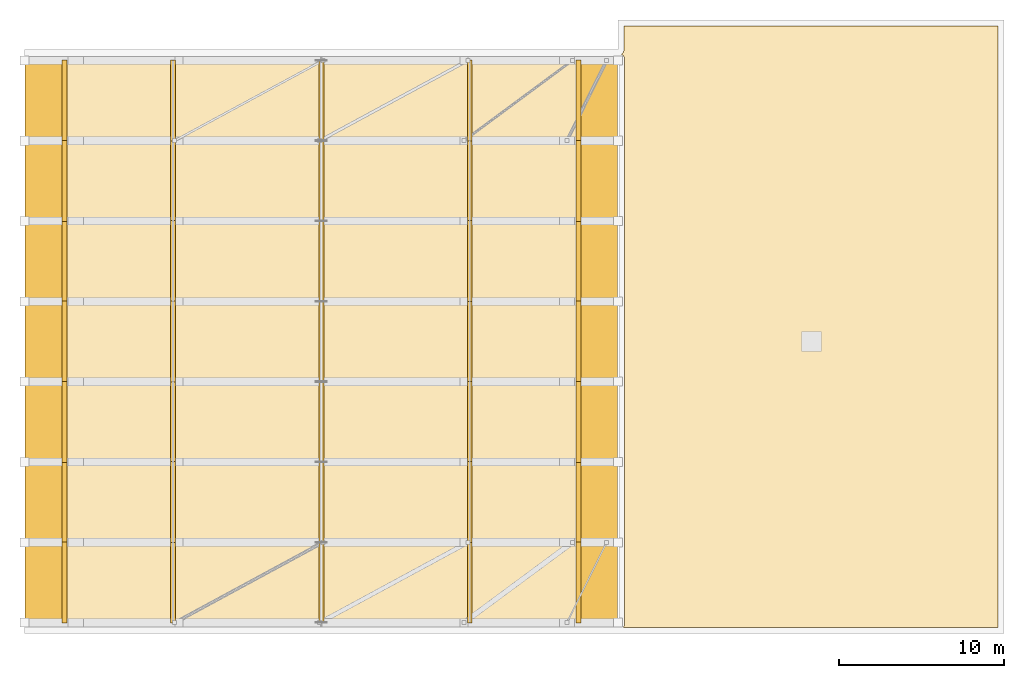
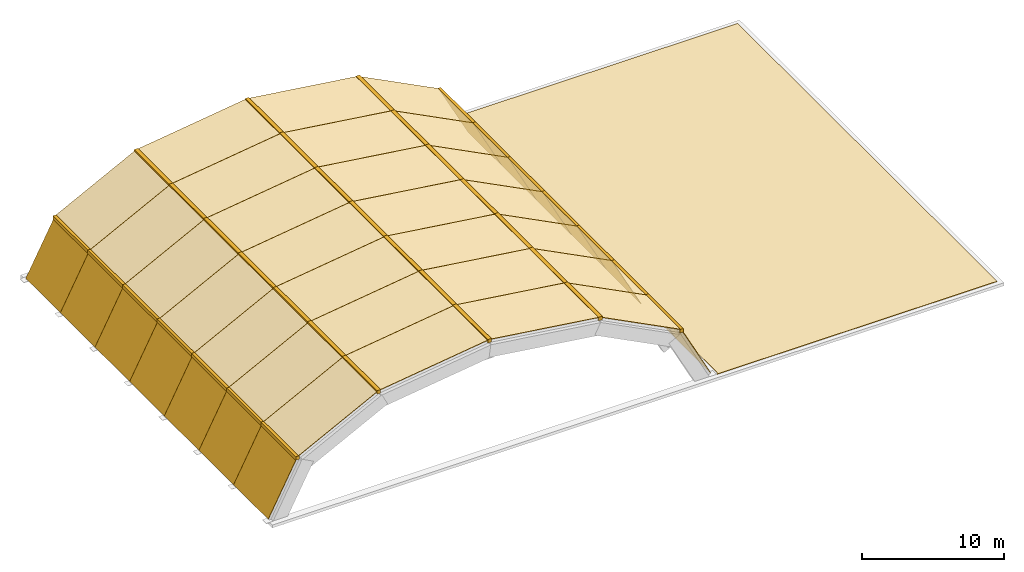
# One storey, part 4 of 4: 78 coverings.
"""IFC4 building model written with IfcOpenShell, lengths in metres."""

from ifc_helpers import new_model, si_unit, direction, frame, origin, origin_2d, place, context, subcontext, project, spatial, polyline, rectangle, outline, extrude, material, layer, layer_set, type_object, element, save


model = new_model("IFC4")

# Units and contexts
model_context = context("Model", 3, precision=1e-05, world=origin(), true_north=direction((0.0, 1.0)))
body_context = subcontext(model_context, "Body", "Model", "MODEL_VIEW")
ifc_project = project(units=[si_unit("LENGTHUNIT", "METRE"), si_unit("AREAUNIT", "SQUARE_METRE"), si_unit("VOLUMEUNIT", "CUBIC_METRE"), si_unit("PLANEANGLEUNIT", "RADIAN"), si_unit("MASSUNIT", "GRAM", prefix="KILO")], contexts=[model_context])

# Site, building, storey
site_placement = place(None, origin())
site = spatial("IfcSite", under=ifc_project, at=site_placement, CompositionType="ELEMENT")
building_placement = place(site_placement, origin())
building = spatial("IfcBuilding", under=site, at=building_placement, Name="Mithqara Police Headquarters", CompositionType="ELEMENT")
storey_placement = place(building_placement, frame((0.0, 0.0, 35.39990234375)))
storey = spatial("IfcBuildingStorey", under=building, at=storey_placement, Name="ROOF", CompositionType="ELEMENT", Elevation=35.39990234375)

# Coverings
ifc_material_1 = material(Name="Limestone ashlar masonry, 45 MPa", Category="masonry")
ifc_layer_1 = layer(ifc_material_1, 0.320068359375, Name="Limestone ashlar masonry, 45 MPa")
ifc_layer_set_1 = layer_set([ifc_layer_1], Name="Limestone ashlar masonry, 45 MPa")
covering_type_1 = type_object("IfcCoveringType", Name="CORNICE LIMESTONE", PredefinedType="CLADDING", material=ifc_layer_set_1)
for number, where, z_axis, x_axis, name in (
    (1, (111.011474609375, 81.685791015625, 4.3798828125), (0.0, 0.0, 1.0), (1.0, 0.0, 0.0), "Arch Flashing Seam Trim B1-K1"),
    (2, (117.60009765625, 81.685791015625, 7.74755859375), (0.0, 0.0, 1.0), (1.0, 0.0, 0.0), "Arch Flashing Seam Trim B1-K2"),
    (3, (126.60009765625, 81.685791015625, 8.97998046875), (0.0, 0.0, 1.0), (1.0, 0.0, 0.0), "Arch Flashing Seam Trim B1-K3"),
    (4, (135.60009765625, 81.685791015625, 7.74755859375), (0.0, 0.0, 1.0), (1.0, 0.0, 0.0), "Arch Flashing Seam Trim B1-K4"),
    (5, (142.1884765625, 81.685791015625, 4.3798828125), (0.0, 0.0, 1.0), (1.0, 0.0, 0.0), "Arch Flashing Seam Trim B1-K5"),
):
    element("IfcCovering", number, at=place(storey_placement, frame(where, z_axis=z_axis, x_axis=x_axis)), inside=storey, type_object=covering_type_1, Name=name, PredefinedType="CLADDING", context=body_context, shape_type="SweptSolid", body=[
        extrude(rectangle(XDim=0.300048828125, YDim=4.910888671875, at=origin_2d()), origin(), (0.0, 0.0, 1.0), 0.300048828125),
    ])
for number, where, z_axis, x_axis, name in (
    (6, (111.011474609375, 86.55712890625, 4.3798828125), (0.0, 0.0, 1.0), (1.0, 0.0, 0.0), "Arch Flashing Seam Trim B2-K1"),
    (7, (117.60009765625, 86.55712890625, 7.74755859375), (0.0, 0.0, 1.0), (1.0, 0.0, 0.0), "Arch Flashing Seam Trim B2-K2"),
    (8, (126.60009765625, 86.55712890625, 8.97998046875), (0.0, 0.0, 1.0), (1.0, 0.0, 0.0), "Arch Flashing Seam Trim B2-K3"),
    (9, (135.60009765625, 86.55712890625, 7.74755859375), (0.0, 0.0, 1.0), (1.0, 0.0, 0.0), "Arch Flashing Seam Trim B2-K4"),
    (10, (142.1884765625, 86.55712890625, 4.3798828125), (0.0, 0.0, 1.0), (1.0, 0.0, 0.0), "Arch Flashing Seam Trim B2-K5"),
):
    element("IfcCovering", number, at=place(storey_placement, frame(where, z_axis=z_axis, x_axis=x_axis)), inside=storey, type_object=covering_type_1, Name=name, PredefinedType="CLADDING", context=body_context, shape_type="SweptSolid", body=[
        extrude(rectangle(XDim=0.300048828125, YDim=4.912109375, at=origin_2d()), origin(), (0.0, 0.0, 1.0), 0.300048828125),
    ])
for number, where, z_axis, x_axis, name in (
    (11, (111.011474609375, 91.4287109375, 4.3798828125), (0.0, 0.0, 1.0), (1.0, 0.0, 0.0), "Arch Flashing Seam Trim B3-K1"),
    (12, (117.60009765625, 91.4287109375, 7.74755859375), (0.0, 0.0, 1.0), (1.0, 0.0, 0.0), "Arch Flashing Seam Trim B3-K2"),
    (13, (126.60009765625, 91.4287109375, 8.97998046875), (0.0, 0.0, 1.0), (1.0, 0.0, 0.0), "Arch Flashing Seam Trim B3-K3"),
    (14, (135.60009765625, 91.4287109375, 7.74755859375), (0.0, 0.0, 1.0), (1.0, 0.0, 0.0), "Arch Flashing Seam Trim B3-K4"),
    (15, (142.1884765625, 91.4287109375, 4.3798828125), (0.0, 0.0, 1.0), (1.0, 0.0, 0.0), "Arch Flashing Seam Trim B3-K5"),
    (16, (111.011474609375, 96.300048828125, 4.3798828125), (0.0, 0.0, 1.0), (1.0, 0.0, 0.0), "Arch Flashing Seam Trim B4-K1"),
    (17, (117.60009765625, 96.300048828125, 7.74755859375), (0.0, 0.0, 1.0), (1.0, 0.0, 0.0), "Arch Flashing Seam Trim B4-K2"),
    (18, (126.60009765625, 96.300048828125, 8.97998046875), (0.0, 0.0, 1.0), (1.0, 0.0, 0.0), "Arch Flashing Seam Trim B4-K3"),
    (19, (135.60009765625, 96.300048828125, 7.74755859375), (0.0, 0.0, 1.0), (1.0, 0.0, 0.0), "Arch Flashing Seam Trim B4-K4"),
    (20, (142.1884765625, 96.300048828125, 4.3798828125), (0.0, 0.0, 1.0), (1.0, 0.0, 0.0), "Arch Flashing Seam Trim B4-K5"),
    (21, (111.011474609375, 101.17138671875, 4.3798828125), (0.0, 0.0, 1.0), (1.0, 0.0, 0.0), "Arch Flashing Seam Trim B5-K1"),
    (22, (117.60009765625, 101.17138671875, 7.74755859375), (0.0, 0.0, 1.0), (1.0, 0.0, 0.0), "Arch Flashing Seam Trim B5-K2"),
    (23, (126.60009765625, 101.17138671875, 8.97998046875), (0.0, 0.0, 1.0), (1.0, 0.0, 0.0), "Arch Flashing Seam Trim B5-K3"),
    (24, (135.60009765625, 101.17138671875, 7.74755859375), (0.0, 0.0, 1.0), (1.0, 0.0, 0.0), "Arch Flashing Seam Trim B5-K4"),
    (25, (142.1884765625, 101.17138671875, 4.3798828125), (0.0, 0.0, 1.0), (1.0, 0.0, 0.0), "Arch Flashing Seam Trim B5-K5"),
    (26, (111.011474609375, 106.04296875, 4.3798828125), (0.0, 0.0, 1.0), (1.0, 0.0, 0.0), "Arch Flashing Seam Trim B6-K1"),
    (27, (117.60009765625, 106.04296875, 7.74755859375), (0.0, 0.0, 1.0), (1.0, 0.0, 0.0), "Arch Flashing Seam Trim B6-K2"),
    (28, (126.60009765625, 106.04296875, 8.97998046875), (0.0, 0.0, 1.0), (1.0, 0.0, 0.0), "Arch Flashing Seam Trim B6-K3"),
    (29, (135.60009765625, 106.04296875, 7.74755859375), (0.0, 0.0, 1.0), (1.0, 0.0, 0.0), "Arch Flashing Seam Trim B6-K4"),
    (30, (142.1884765625, 106.04296875, 4.3798828125), (0.0, 0.0, 1.0), (1.0, 0.0, 0.0), "Arch Flashing Seam Trim B6-K5"),
    (31, (111.011474609375, 110.914306640625, 4.3798828125), (0.0, 0.0, 1.0), (1.0, 0.0, 0.0), "Arch Flashing Seam Trim B7-K1"),
    (32, (117.60009765625, 110.914306640625, 7.74755859375), (0.0, 0.0, 1.0), (1.0, 0.0, 0.0), "Arch Flashing Seam Trim B7-K2"),
    (33, (126.60009765625, 110.914306640625, 8.97998046875), (0.0, 0.0, 1.0), (1.0, 0.0, 0.0), "Arch Flashing Seam Trim B7-K3"),
    (34, (135.60009765625, 110.914306640625, 7.74755859375), (0.0, 0.0, 1.0), (1.0, 0.0, 0.0), "Arch Flashing Seam Trim B7-K4"),
    (35, (142.1884765625, 110.914306640625, 4.3798828125), (0.0, 0.0, 1.0), (1.0, 0.0, 0.0), "Arch Flashing Seam Trim B7-K5"),
):
    element("IfcCovering", number, at=place(storey_placement, frame(where, z_axis=z_axis, x_axis=x_axis)), inside=storey, type_object=covering_type_1, Name=name, PredefinedType="CLADDING", context=body_context, shape_type="SweptSolid", body=[
        extrude(rectangle(XDim=0.300048828125, YDim=4.910888671875, at=origin_2d()), origin(), (0.0, 0.0, 1.0), 0.300048828125),
    ])
ifc_material_2 = material(Name="Standing seam zinc-aluminium roofing", Category="aluminium")
ifc_layer_2 = layer(ifc_material_2, 0.0400390625, Name="Standing seam zinc-aluminium roofing")
ifc_layer_set_2 = layer_set([ifc_layer_2], Name="Standing seam zinc-aluminium roofing")
covering_type_2 = type_object("IfcCoveringType", Name="STANDING SEAM ROOFING", PredefinedType="ROOFING", material=ifc_layer_set_2)
covering_1_placement = place(storey_placement, origin())
element("IfcCovering", 36, at=covering_1_placement, inside=storey, type_object=covering_type_2, Name="ROOF Insulated Roof Waterproofing ROOF-L07-00", PredefinedType="ROOFING", context=body_context, shape_type="SweptSolid", body=[
    extrude(outline(polyline([(144.894775390625, 78.949951171875), (144.8974609375, 78.952392578125), (144.920654296875, 78.97802734375), (144.94091796875, 79.005615234375), (144.958740234375, 79.034912109375), (144.973388671875, 79.066162109375), (144.98486328125, 79.098388671875), (144.993408203125, 79.131591796875), (144.998291015625, 79.165771484375), (145.0, 79.199951171875), (145.0, 113.39990234375), (144.998291015625, 113.434326171875), (144.993408203125, 113.46826171875), (144.98486328125, 113.501708984375), (144.973388671875, 113.533935546875), (144.958740234375, 113.56494140625), (144.94091796875, 113.594482421875), (144.920654296875, 113.6220703125), (144.8974609375, 113.6474609375), (144.8720703125, 113.670654296875), (144.844482421875, 113.69091796875), (144.81494140625, 113.708740234375), (144.80224609375, 113.714599609375), (144.822021484375, 113.7294921875), (144.847412109375, 113.75244140625), (144.87060546875, 113.778076171875), (144.89111328125, 113.8056640625), (144.90869140625, 113.8349609375), (144.92333984375, 113.8662109375), (144.934814453125, 113.8984375), (144.943359375, 113.931640625), (144.9482421875, 113.9658203125), (144.949951171875, 114.0), (144.949951171875, 115.449951171875), (167.64990234375, 115.449951171875), (167.64990234375, 78.949951171875), (144.894775390625, 78.949951171875)])), origin(), (0.0, 0.0, 1.0), 0.0400390625),
])
covering_2_placement = place(storey_placement, frame((108.631591796875, 79.2529296875, 0.100341796875), z_axis=(-0.885669920915, 0.0, 0.464315400549), x_axis=(0.464315400549, 0.0, 0.885669920915)))
element("IfcCovering", 37, at=covering_2_placement, inside=storey, type_object=covering_type_2, Name="Command and Control Room Barrel Vault Shell Strip Bay 1 Facet 1 Standing-Seam Metal Cladding", PredefinedType="ROOFING", context=body_context, shape_type="SweptSolid", body=[
    extrude(outline(polyline([(0.0, 0.0), (5.057744518267443, 0.0), (5.057744518267443, 4.865478515625), (0.0, 4.865478515625), (0.0, 0.0)])), origin(), (0.0, 0.0, -1.0), 0.0400390625),
])
covering_3_placement = place(storey_placement, frame((111.072021484375, 79.2529296875, 4.6708984375), z_axis=(-0.455115205431, 0.0, 0.8904325633), x_axis=(0.8904325633, 0.0, 0.455115205431)))
element("IfcCovering", 38, at=covering_3_placement, inside=storey, type_object=covering_type_2, Name="Command and Control Room Barrel Vault Shell Strip Bay 1 Facet 2 Standing-Seam Metal Cladding", PredefinedType="ROOFING", context=body_context, shape_type="SweptSolid", body=[
    extrude(outline(polyline([(0.0, 0.0), (7.263356668926594, 0.0), (7.263356668926594, 4.865478515625), (0.0, 4.865478515625), (0.0, 0.0)])), origin(), (0.0, 0.0, -1.0), 0.0400390625),
])
for number, where, z_axis, x_axis, name in (
    (39, (117.66748046875, 79.2529296875, 8.0166015625), (-0.135712217568, 0.0, 0.990748300025), (0.990748300025, 0.0, 0.135712217568), "Command and Control Room Barrel Vault Shell Strip Bay 1 Facet 3 Standing-Seam Metal Cladding"),
    (40, (126.66748046875, 79.2529296875, 9.23095703125), (0.135712217568, 0.0, 0.990748300025), (0.990748300025, 0.0, -0.135712217568), "Command and Control Room Barrel Vault Shell Strip Bay 1 Facet 4 Standing-Seam Metal Cladding"),
):
    element("IfcCovering", number, at=place(storey_placement, frame(where, z_axis=z_axis, x_axis=x_axis)), inside=storey, type_object=covering_type_2, Name=name, PredefinedType="ROOFING", context=body_context, shape_type="SweptSolid", body=[
        extrude(outline(polyline([(0.0, 0.0), (8.948018759935893, 0.0), (8.948018759935893, 4.865478515625), (0.0, 4.865478515625), (0.0, 0.0)])), origin(), (0.0, 0.0, -1.0), 0.0400390625),
    ])
covering_4_placement = place(storey_placement, frame((135.660400390625, 79.2529296875, 7.9765625), z_axis=(0.455115205431, 0.0, 0.8904325633), x_axis=(0.8904325633, 0.0, -0.455115205431)))
element("IfcCovering", 41, at=covering_4_placement, inside=storey, type_object=covering_type_2, Name="Command and Control Room Barrel Vault Shell Strip Bay 1 Facet 5 Standing-Seam Metal Cladding", PredefinedType="ROOFING", context=body_context, shape_type="SweptSolid", body=[
    extrude(outline(polyline([(0.0, 0.0), (7.263356668926594, 0.0), (7.263356668926594, 4.865478515625), (0.0, 4.865478515625), (0.0, 0.0)])), origin(), (0.0, 0.0, -1.0), 0.0400390625),
])
covering_5_placement = place(storey_placement, frame((142.22021484375, 79.2529296875, 4.579833984375), z_axis=(0.885689770899, 0.0, 0.464277535236), x_axis=(0.464277535236, 0.0, -0.885689770899)))
element("IfcCovering", 42, at=covering_5_placement, inside=storey, type_object=covering_type_2, Name="Command and Control Room Barrel Vault Shell Strip Bay 1 Facet 6 Standing-Seam Metal Cladding", PredefinedType="ROOFING", context=body_context, shape_type="SweptSolid", body=[
    extrude(outline(polyline([(0.0, 0.0), (5.0576311646375345, 0.0), (5.0576311646375345, 4.865478515625001), (0.0, 4.865478515625001), (0.0, 0.0)])), origin(), (0.0, 0.0, -1.0), 0.0400390625),
])
covering_6_placement = place(storey_placement, frame((108.631591796875, 84.12451171875, 0.100341796875), z_axis=(-0.885669920915, 0.0, 0.464315400549), x_axis=(0.464315400549, 0.0, 0.885669920915)))
element("IfcCovering", 43, at=covering_6_placement, inside=storey, type_object=covering_type_2, Name="Command and Control Room Barrel Vault Shell Strip Bay 2 Facet 1 Standing-Seam Metal Cladding", PredefinedType="ROOFING", context=body_context, shape_type="SweptSolid", body=[
    extrude(outline(polyline([(0.0, 0.0), (5.057744518267443, 0.0), (5.057744518267443, 4.865478515625), (0.0, 4.865478515625), (0.0, 0.0)])), origin(), (0.0, 0.0, -1.0), 0.0400390625),
])
covering_7_placement = place(storey_placement, frame((111.072021484375, 84.12451171875, 4.6708984375), z_axis=(-0.455115205431, 0.0, 0.8904325633), x_axis=(0.8904325633, 0.0, 0.455115205431)))
element("IfcCovering", 44, at=covering_7_placement, inside=storey, type_object=covering_type_2, Name="Command and Control Room Barrel Vault Shell Strip Bay 2 Facet 2 Standing-Seam Metal Cladding", PredefinedType="ROOFING", context=body_context, shape_type="SweptSolid", body=[
    extrude(outline(polyline([(0.0, 0.0), (7.263356668926594, 0.0), (7.263356668926594, 4.865478515625), (0.0, 4.865478515625), (0.0, 0.0)])), origin(), (0.0, 0.0, -1.0), 0.0400390625),
])
for number, where, z_axis, x_axis, name in (
    (45, (117.66748046875, 84.12451171875, 8.0166015625), (-0.135712217568, 0.0, 0.990748300025), (0.990748300025, 0.0, 0.135712217568), "Command and Control Room Barrel Vault Shell Strip Bay 2 Facet 3 Standing-Seam Metal Cladding"),
    (46, (126.66748046875, 84.12451171875, 9.23095703125), (0.135712217568, 0.0, 0.990748300025), (0.990748300025, 0.0, -0.135712217568), "Command and Control Room Barrel Vault Shell Strip Bay 2 Facet 4 Standing-Seam Metal Cladding"),
):
    element("IfcCovering", number, at=place(storey_placement, frame(where, z_axis=z_axis, x_axis=x_axis)), inside=storey, type_object=covering_type_2, Name=name, PredefinedType="ROOFING", context=body_context, shape_type="SweptSolid", body=[
        extrude(outline(polyline([(0.0, 0.0), (8.948018759935893, 0.0), (8.948018759935893, 4.865478515625), (0.0, 4.865478515625), (0.0, 0.0)])), origin(), (0.0, 0.0, -1.0), 0.0400390625),
    ])
covering_8_placement = place(storey_placement, frame((135.660400390625, 84.12451171875, 7.9765625), z_axis=(0.455115205431, 0.0, 0.8904325633), x_axis=(0.8904325633, 0.0, -0.455115205431)))
element("IfcCovering", 47, at=covering_8_placement, inside=storey, type_object=covering_type_2, Name="Command and Control Room Barrel Vault Shell Strip Bay 2 Facet 5 Standing-Seam Metal Cladding", PredefinedType="ROOFING", context=body_context, shape_type="SweptSolid", body=[
    extrude(outline(polyline([(0.0, 0.0), (7.263356668926594, 0.0), (7.263356668926594, 4.865478515625), (0.0, 4.865478515625), (0.0, 0.0)])), origin(), (0.0, 0.0, -1.0), 0.0400390625),
])
covering_9_placement = place(storey_placement, frame((142.22021484375, 84.12451171875, 4.579833984375), z_axis=(0.885689770899, 0.0, 0.464277535236), x_axis=(0.464277535236, 0.0, -0.885689770899)))
element("IfcCovering", 48, at=covering_9_placement, inside=storey, type_object=covering_type_2, Name="Command and Control Room Barrel Vault Shell Strip Bay 2 Facet 6 Standing-Seam Metal Cladding", PredefinedType="ROOFING", context=body_context, shape_type="SweptSolid", body=[
    extrude(outline(polyline([(0.0, 0.0), (5.0576311646375345, 0.0), (5.0576311646375345, 4.865478515625001), (0.0, 4.865478515625001), (0.0, 0.0)])), origin(), (0.0, 0.0, -1.0), 0.0400390625),
])
covering_10_placement = place(storey_placement, frame((108.631591796875, 88.995849609375, 0.100341796875), z_axis=(-0.885669920915, 0.0, 0.464315400549), x_axis=(0.464315400549, 0.0, 0.885669920915)))
element("IfcCovering", 49, at=covering_10_placement, inside=storey, type_object=covering_type_2, Name="Command and Control Room Barrel Vault Shell Strip Bay 3 Facet 1 Standing-Seam Metal Cladding", PredefinedType="ROOFING", context=body_context, shape_type="SweptSolid", body=[
    extrude(outline(polyline([(0.0, 0.0), (5.057744518267443, 0.0), (5.057744518267443, 4.865478515625), (0.0, 4.865478515625), (0.0, 0.0)])), origin(), (0.0, 0.0, -1.0), 0.0400390625),
])
covering_11_placement = place(storey_placement, frame((111.072021484375, 88.995849609375, 4.6708984375), z_axis=(-0.455115205431, 0.0, 0.8904325633), x_axis=(0.8904325633, 0.0, 0.455115205431)))
element("IfcCovering", 50, at=covering_11_placement, inside=storey, type_object=covering_type_2, Name="Command and Control Room Barrel Vault Shell Strip Bay 3 Facet 2 Standing-Seam Metal Cladding", PredefinedType="ROOFING", context=body_context, shape_type="SweptSolid", body=[
    extrude(outline(polyline([(0.0, 0.0), (7.263356668926594, 0.0), (7.263356668926594, 4.865478515625), (0.0, 4.865478515625), (0.0, 0.0)])), origin(), (0.0, 0.0, -1.0), 0.0400390625),
])
for number, where, z_axis, x_axis, name in (
    (51, (117.66748046875, 88.995849609375, 8.0166015625), (-0.135712217568, 0.0, 0.990748300025), (0.990748300025, 0.0, 0.135712217568), "Command and Control Room Barrel Vault Shell Strip Bay 3 Facet 3 Standing-Seam Metal Cladding"),
    (52, (126.66748046875, 88.995849609375, 9.23095703125), (0.135712217568, 0.0, 0.990748300025), (0.990748300025, 0.0, -0.135712217568), "Command and Control Room Barrel Vault Shell Strip Bay 3 Facet 4 Standing-Seam Metal Cladding"),
):
    element("IfcCovering", number, at=place(storey_placement, frame(where, z_axis=z_axis, x_axis=x_axis)), inside=storey, type_object=covering_type_2, Name=name, PredefinedType="ROOFING", context=body_context, shape_type="SweptSolid", body=[
        extrude(outline(polyline([(0.0, 0.0), (8.948018759935893, 0.0), (8.948018759935893, 4.865478515625), (0.0, 4.865478515625), (0.0, 0.0)])), origin(), (0.0, 0.0, -1.0), 0.0400390625),
    ])
covering_12_placement = place(storey_placement, frame((135.660400390625, 88.995849609375, 7.9765625), z_axis=(0.455115205431, 0.0, 0.8904325633), x_axis=(0.8904325633, 0.0, -0.455115205431)))
element("IfcCovering", 53, at=covering_12_placement, inside=storey, type_object=covering_type_2, Name="Command and Control Room Barrel Vault Shell Strip Bay 3 Facet 5 Standing-Seam Metal Cladding", PredefinedType="ROOFING", context=body_context, shape_type="SweptSolid", body=[
    extrude(outline(polyline([(0.0, 0.0), (7.263356668926594, 0.0), (7.263356668926594, 4.865478515625), (0.0, 4.865478515625), (0.0, 0.0)])), origin(), (0.0, 0.0, -1.0), 0.0400390625),
])
covering_13_placement = place(storey_placement, frame((142.22021484375, 88.995849609375, 4.579833984375), z_axis=(0.885689770899, 0.0, 0.464277535236), x_axis=(0.464277535236, 0.0, -0.885689770899)))
element("IfcCovering", 54, at=covering_13_placement, inside=storey, type_object=covering_type_2, Name="Command and Control Room Barrel Vault Shell Strip Bay 3 Facet 6 Standing-Seam Metal Cladding", PredefinedType="ROOFING", context=body_context, shape_type="SweptSolid", body=[
    extrude(outline(polyline([(0.0, 0.0), (5.0576311646375345, 0.0), (5.0576311646375345, 4.865478515625001), (0.0, 4.865478515625001), (0.0, 0.0)])), origin(), (0.0, 0.0, -1.0), 0.0400390625),
])
covering_14_placement = place(storey_placement, frame((108.631591796875, 93.8671875, 0.100341796875), z_axis=(-0.885669920915, 0.0, 0.464315400549), x_axis=(0.464315400549, 0.0, 0.885669920915)))
element("IfcCovering", 55, at=covering_14_placement, inside=storey, type_object=covering_type_2, Name="Command and Control Room Barrel Vault Shell Strip Bay 4 Facet 1 Standing-Seam Metal Cladding", PredefinedType="ROOFING", context=body_context, shape_type="SweptSolid", body=[
    extrude(outline(polyline([(0.0, 0.0), (5.057744518267443, 0.0), (5.057744518267443, 4.865478515625), (0.0, 4.865478515625), (0.0, 0.0)])), origin(), (0.0, 0.0, -1.0), 0.0400390625),
])
covering_15_placement = place(storey_placement, frame((111.072021484375, 93.8671875, 4.6708984375), z_axis=(-0.455115205431, 0.0, 0.8904325633), x_axis=(0.8904325633, 0.0, 0.455115205431)))
element("IfcCovering", 56, at=covering_15_placement, inside=storey, type_object=covering_type_2, Name="Command and Control Room Barrel Vault Shell Strip Bay 4 Facet 2 Standing-Seam Metal Cladding", PredefinedType="ROOFING", context=body_context, shape_type="SweptSolid", body=[
    extrude(outline(polyline([(0.0, 0.0), (7.263356668926594, 0.0), (7.263356668926594, 4.865478515625), (0.0, 4.865478515625), (0.0, 0.0)])), origin(), (0.0, 0.0, -1.0), 0.0400390625),
])
for number, where, z_axis, x_axis, name in (
    (57, (117.66748046875, 93.8671875, 8.0166015625), (-0.135712217568, 0.0, 0.990748300025), (0.990748300025, 0.0, 0.135712217568), "Command and Control Room Barrel Vault Shell Strip Bay 4 Facet 3 Standing-Seam Metal Cladding"),
    (58, (126.66748046875, 93.8671875, 9.23095703125), (0.135712217568, 0.0, 0.990748300025), (0.990748300025, 0.0, -0.135712217568), "Command and Control Room Barrel Vault Shell Strip Bay 4 Facet 4 Standing-Seam Metal Cladding"),
):
    element("IfcCovering", number, at=place(storey_placement, frame(where, z_axis=z_axis, x_axis=x_axis)), inside=storey, type_object=covering_type_2, Name=name, PredefinedType="ROOFING", context=body_context, shape_type="SweptSolid", body=[
        extrude(outline(polyline([(0.0, 0.0), (8.948018759935893, 0.0), (8.948018759935893, 4.865478515625), (0.0, 4.865478515625), (0.0, 0.0)])), origin(), (0.0, 0.0, -1.0), 0.0400390625),
    ])
covering_16_placement = place(storey_placement, frame((135.660400390625, 93.8671875, 7.9765625), z_axis=(0.455115205431, 0.0, 0.8904325633), x_axis=(0.8904325633, 0.0, -0.455115205431)))
element("IfcCovering", 59, at=covering_16_placement, inside=storey, type_object=covering_type_2, Name="Command and Control Room Barrel Vault Shell Strip Bay 4 Facet 5 Standing-Seam Metal Cladding", PredefinedType="ROOFING", context=body_context, shape_type="SweptSolid", body=[
    extrude(outline(polyline([(0.0, 0.0), (7.263356668926594, 0.0), (7.263356668926594, 4.865478515625), (0.0, 4.865478515625), (0.0, 0.0)])), origin(), (0.0, 0.0, -1.0), 0.0400390625),
])
covering_17_placement = place(storey_placement, frame((142.22021484375, 93.8671875, 4.579833984375), z_axis=(0.885689770899, 0.0, 0.464277535236), x_axis=(0.464277535236, 0.0, -0.885689770899)))
element("IfcCovering", 60, at=covering_17_placement, inside=storey, type_object=covering_type_2, Name="Command and Control Room Barrel Vault Shell Strip Bay 4 Facet 6 Standing-Seam Metal Cladding", PredefinedType="ROOFING", context=body_context, shape_type="SweptSolid", body=[
    extrude(outline(polyline([(0.0, 0.0), (5.0576311646375345, 0.0), (5.0576311646375345, 4.865478515625001), (0.0, 4.865478515625001), (0.0, 0.0)])), origin(), (0.0, 0.0, -1.0), 0.0400390625),
])
covering_18_placement = place(storey_placement, frame((108.631591796875, 98.73876953125, 0.100341796875), z_axis=(-0.885669920915, 0.0, 0.464315400549), x_axis=(0.464315400549, 0.0, 0.885669920915)))
element("IfcCovering", 61, at=covering_18_placement, inside=storey, type_object=covering_type_2, Name="Command and Control Room Barrel Vault Shell Strip Bay 5 Facet 1 Standing-Seam Metal Cladding", PredefinedType="ROOFING", context=body_context, shape_type="SweptSolid", body=[
    extrude(outline(polyline([(0.0, 0.0), (5.057744518267443, 0.0), (5.057744518267443, 4.865234375), (0.0, 4.865234375), (0.0, 0.0)])), origin(), (0.0, 0.0, -1.0), 0.0400390625),
])
covering_19_placement = place(storey_placement, frame((111.072021484375, 98.73876953125, 4.6708984375), z_axis=(-0.455115205431, 0.0, 0.8904325633), x_axis=(0.8904325633, 0.0, 0.455115205431)))
element("IfcCovering", 62, at=covering_19_placement, inside=storey, type_object=covering_type_2, Name="Command and Control Room Barrel Vault Shell Strip Bay 5 Facet 2 Standing-Seam Metal Cladding", PredefinedType="ROOFING", context=body_context, shape_type="SweptSolid", body=[
    extrude(outline(polyline([(0.0, 0.0), (7.263356668926594, 0.0), (7.263356668926594, 4.865234375), (0.0, 4.865234375), (0.0, 0.0)])), origin(), (0.0, 0.0, -1.0), 0.0400390625),
])
for number, where, z_axis, x_axis, name in (
    (63, (117.66748046875, 98.73876953125, 8.0166015625), (-0.135712217568, 0.0, 0.990748300025), (0.990748300025, 0.0, 0.135712217568), "Command and Control Room Barrel Vault Shell Strip Bay 5 Facet 3 Standing-Seam Metal Cladding"),
    (64, (126.66748046875, 98.73876953125, 9.23095703125), (0.135712217568, 0.0, 0.990748300025), (0.990748300025, 0.0, -0.135712217568), "Command and Control Room Barrel Vault Shell Strip Bay 5 Facet 4 Standing-Seam Metal Cladding"),
):
    element("IfcCovering", number, at=place(storey_placement, frame(where, z_axis=z_axis, x_axis=x_axis)), inside=storey, type_object=covering_type_2, Name=name, PredefinedType="ROOFING", context=body_context, shape_type="SweptSolid", body=[
        extrude(outline(polyline([(0.0, 0.0), (8.948018759935893, 0.0), (8.948018759935893, 4.865234375), (0.0, 4.865234375), (0.0, 0.0)])), origin(), (0.0, 0.0, -1.0), 0.0400390625),
    ])
covering_20_placement = place(storey_placement, frame((135.660400390625, 98.73876953125, 7.9765625), z_axis=(0.455115205431, 0.0, 0.8904325633), x_axis=(0.8904325633, 0.0, -0.455115205431)))
element("IfcCovering", 65, at=covering_20_placement, inside=storey, type_object=covering_type_2, Name="Command and Control Room Barrel Vault Shell Strip Bay 5 Facet 5 Standing-Seam Metal Cladding", PredefinedType="ROOFING", context=body_context, shape_type="SweptSolid", body=[
    extrude(outline(polyline([(0.0, 0.0), (7.263356668926594, 0.0), (7.263356668926594, 4.865234375), (0.0, 4.865234375), (0.0, 0.0)])), origin(), (0.0, 0.0, -1.0), 0.0400390625),
])
covering_21_placement = place(storey_placement, frame((142.22021484375, 98.73876953125, 4.579833984375), z_axis=(0.885689770899, 0.0, 0.464277535236), x_axis=(0.464277535236, 0.0, -0.885689770899)))
element("IfcCovering", 66, at=covering_21_placement, inside=storey, type_object=covering_type_2, Name="Command and Control Room Barrel Vault Shell Strip Bay 5 Facet 6 Standing-Seam Metal Cladding", PredefinedType="ROOFING", context=body_context, shape_type="SweptSolid", body=[
    extrude(outline(polyline([(0.0, 0.0), (5.0576311646375345, 0.0), (5.0576311646375345, 4.865234375000001), (0.0, 4.865234375000001), (0.0, 0.0)])), origin(), (0.0, 0.0, -1.0), 0.0400390625),
])
covering_22_placement = place(storey_placement, frame((108.631591796875, 103.610107421875, 0.100341796875), z_axis=(-0.885669920915, 0.0, 0.464315400549), x_axis=(0.464315400549, 0.0, 0.885669920915)))
element("IfcCovering", 67, at=covering_22_placement, inside=storey, type_object=covering_type_2, Name="Command and Control Room Barrel Vault Shell Strip Bay 6 Facet 1 Standing-Seam Metal Cladding", PredefinedType="ROOFING", context=body_context, shape_type="SweptSolid", body=[
    extrude(outline(polyline([(0.0, 0.0), (5.057744518267443, 0.0), (5.057744518267443, 4.865478515625), (0.0, 4.865478515625), (0.0, 0.0)])), origin(), (0.0, 0.0, -1.0), 0.0400390625),
])
covering_23_placement = place(storey_placement, frame((111.072021484375, 103.610107421875, 4.6708984375), z_axis=(-0.455115205431, 0.0, 0.8904325633), x_axis=(0.8904325633, 0.0, 0.455115205431)))
element("IfcCovering", 68, at=covering_23_placement, inside=storey, type_object=covering_type_2, Name="Command and Control Room Barrel Vault Shell Strip Bay 6 Facet 2 Standing-Seam Metal Cladding", PredefinedType="ROOFING", context=body_context, shape_type="SweptSolid", body=[
    extrude(outline(polyline([(0.0, 0.0), (7.263356668926594, 0.0), (7.263356668926594, 4.865478515625), (0.0, 4.865478515625), (0.0, 0.0)])), origin(), (0.0, 0.0, -1.0), 0.0400390625),
])
for number, where, z_axis, x_axis, name in (
    (69, (117.66748046875, 103.610107421875, 8.0166015625), (-0.135712217568, 0.0, 0.990748300025), (0.990748300025, 0.0, 0.135712217568), "Command and Control Room Barrel Vault Shell Strip Bay 6 Facet 3 Standing-Seam Metal Cladding"),
    (70, (126.66748046875, 103.610107421875, 9.23095703125), (0.135712217568, 0.0, 0.990748300025), (0.990748300025, 0.0, -0.135712217568), "Command and Control Room Barrel Vault Shell Strip Bay 6 Facet 4 Standing-Seam Metal Cladding"),
):
    element("IfcCovering", number, at=place(storey_placement, frame(where, z_axis=z_axis, x_axis=x_axis)), inside=storey, type_object=covering_type_2, Name=name, PredefinedType="ROOFING", context=body_context, shape_type="SweptSolid", body=[
        extrude(outline(polyline([(0.0, 0.0), (8.948018759935893, 0.0), (8.948018759935893, 4.865478515625), (0.0, 4.865478515625), (0.0, 0.0)])), origin(), (0.0, 0.0, -1.0), 0.0400390625),
    ])
covering_24_placement = place(storey_placement, frame((135.660400390625, 103.610107421875, 7.9765625), z_axis=(0.455115205431, 0.0, 0.8904325633), x_axis=(0.8904325633, 0.0, -0.455115205431)))
element("IfcCovering", 71, at=covering_24_placement, inside=storey, type_object=covering_type_2, Name="Command and Control Room Barrel Vault Shell Strip Bay 6 Facet 5 Standing-Seam Metal Cladding", PredefinedType="ROOFING", context=body_context, shape_type="SweptSolid", body=[
    extrude(outline(polyline([(0.0, 0.0), (7.263356668926594, 0.0), (7.263356668926594, 4.865478515625), (0.0, 4.865478515625), (0.0, 0.0)])), origin(), (0.0, 0.0, -1.0), 0.0400390625),
])
covering_25_placement = place(storey_placement, frame((142.22021484375, 103.610107421875, 4.579833984375), z_axis=(0.885689770899, 0.0, 0.464277535236), x_axis=(0.464277535236, 0.0, -0.885689770899)))
element("IfcCovering", 72, at=covering_25_placement, inside=storey, type_object=covering_type_2, Name="Command and Control Room Barrel Vault Shell Strip Bay 6 Facet 6 Standing-Seam Metal Cladding", PredefinedType="ROOFING", context=body_context, shape_type="SweptSolid", body=[
    extrude(outline(polyline([(0.0, 0.0), (5.0576311646375345, 0.0), (5.0576311646375345, 4.865478515625001), (0.0, 4.865478515625001), (0.0, 0.0)])), origin(), (0.0, 0.0, -1.0), 0.0400390625),
])
covering_26_placement = place(storey_placement, frame((108.631591796875, 108.481689453125, 0.100341796875), z_axis=(-0.885669920915, 0.0, 0.464315400549), x_axis=(0.464315400549, 0.0, 0.885669920915)))
element("IfcCovering", 73, at=covering_26_placement, inside=storey, type_object=covering_type_2, Name="Command and Control Room Barrel Vault Shell Strip Bay 7 Facet 1 Standing-Seam Metal Cladding", PredefinedType="ROOFING", context=body_context, shape_type="SweptSolid", body=[
    extrude(outline(polyline([(0.0, 0.0), (5.057744518267443, 0.0), (5.057744518267443, 4.865234375), (0.0, 4.865234375), (0.0, 0.0)])), origin(), (0.0, 0.0, -1.0), 0.0400390625),
])
covering_27_placement = place(storey_placement, frame((111.072021484375, 108.481689453125, 4.6708984375), z_axis=(-0.455115205431, 0.0, 0.8904325633), x_axis=(0.8904325633, 0.0, 0.455115205431)))
element("IfcCovering", 74, at=covering_27_placement, inside=storey, type_object=covering_type_2, Name="Command and Control Room Barrel Vault Shell Strip Bay 7 Facet 2 Standing-Seam Metal Cladding", PredefinedType="ROOFING", context=body_context, shape_type="SweptSolid", body=[
    extrude(outline(polyline([(0.0, 0.0), (7.263356668926594, 0.0), (7.263356668926594, 4.865234375), (0.0, 4.865234375), (0.0, 0.0)])), origin(), (0.0, 0.0, -1.0), 0.0400390625),
])
for number, where, z_axis, x_axis, name in (
    (75, (117.66748046875, 108.481689453125, 8.0166015625), (-0.135712217568, 0.0, 0.990748300025), (0.990748300025, 0.0, 0.135712217568), "Command and Control Room Barrel Vault Shell Strip Bay 7 Facet 3 Standing-Seam Metal Cladding"),
    (76, (126.66748046875, 108.481689453125, 9.23095703125), (0.135712217568, 0.0, 0.990748300025), (0.990748300025, 0.0, -0.135712217568), "Command and Control Room Barrel Vault Shell Strip Bay 7 Facet 4 Standing-Seam Metal Cladding"),
):
    element("IfcCovering", number, at=place(storey_placement, frame(where, z_axis=z_axis, x_axis=x_axis)), inside=storey, type_object=covering_type_2, Name=name, PredefinedType="ROOFING", context=body_context, shape_type="SweptSolid", body=[
        extrude(outline(polyline([(0.0, 0.0), (8.948018759935893, 0.0), (8.948018759935893, 4.865234375), (0.0, 4.865234375), (0.0, 0.0)])), origin(), (0.0, 0.0, -1.0), 0.0400390625),
    ])
covering_28_placement = place(storey_placement, frame((135.660400390625, 108.481689453125, 7.9765625), z_axis=(0.455115205431, 0.0, 0.8904325633), x_axis=(0.8904325633, 0.0, -0.455115205431)))
element("IfcCovering", 77, at=covering_28_placement, inside=storey, type_object=covering_type_2, Name="Command and Control Room Barrel Vault Shell Strip Bay 7 Facet 5 Standing-Seam Metal Cladding", PredefinedType="ROOFING", context=body_context, shape_type="SweptSolid", body=[
    extrude(outline(polyline([(0.0, 0.0), (7.263356668926594, 0.0), (7.263356668926594, 4.865234375), (0.0, 4.865234375), (0.0, 0.0)])), origin(), (0.0, 0.0, -1.0), 0.0400390625),
])
covering_29_placement = place(storey_placement, frame((142.22021484375, 108.481689453125, 4.579833984375), z_axis=(0.885689770899, 0.0, 0.464277535236), x_axis=(0.464277535236, 0.0, -0.885689770899)))
element("IfcCovering", 78, at=covering_29_placement, inside=storey, type_object=covering_type_2, Name="Command and Control Room Barrel Vault Shell Strip Bay 7 Facet 6 Standing-Seam Metal Cladding", PredefinedType="ROOFING", context=body_context, shape_type="SweptSolid", body=[
    extrude(outline(polyline([(0.0, 0.0), (5.0576311646375345, 0.0), (5.0576311646375345, 4.865234375000001), (0.0, 4.865234375000001), (0.0, 0.0)])), origin(), (0.0, 0.0, -1.0), 0.0400390625),
])

save(model, "model.ifc")
